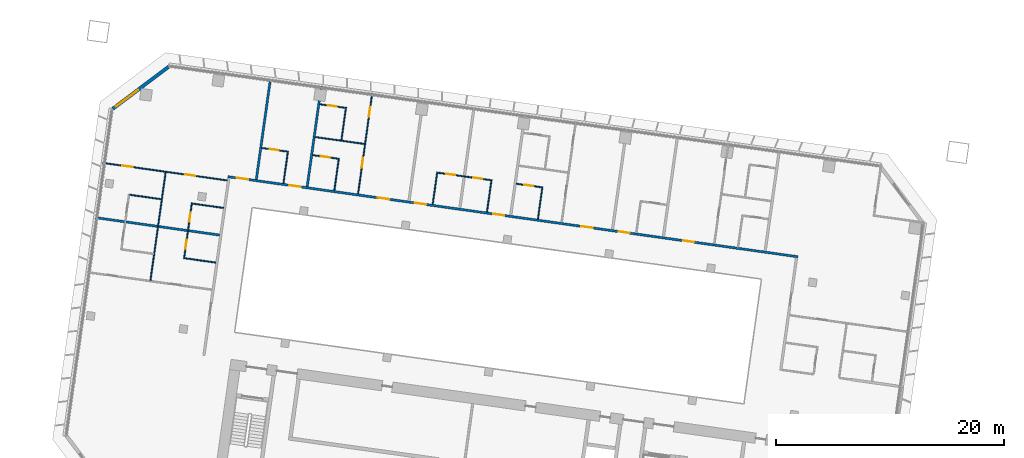
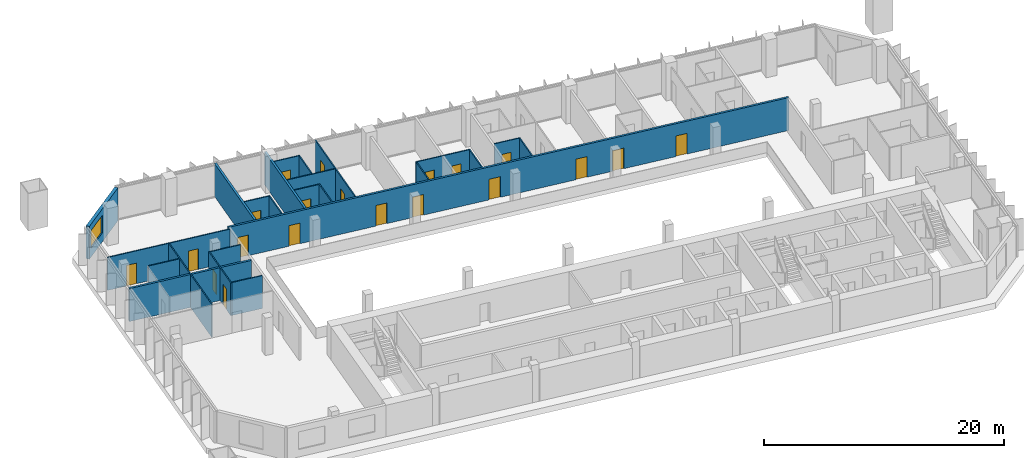
# One storey, part 16 of 25: 24 walls, 20 doors, 1 window, 21 openings.
"""IFC4 building model written with IfcOpenShell, lengths in metres."""

from ifc_helpers import new_model, si_unit, direction, frame, frame_2d, origin, place, context, subcontext, project, spatial, rectangle, extrude, material, layer, layer_set, type_object, element, fill, save


model = new_model("IFC4")

# Units and contexts
model_context = context("Model", 3, precision=1e-05, world=origin(), true_north=direction((0.0, 1.0)))
body_context = subcontext(model_context, "Body", "Model", "MODEL_VIEW")
ifc_project = project(units=[si_unit("LENGTHUNIT", "METRE"), si_unit("AREAUNIT", "SQUARE_METRE"), si_unit("VOLUMEUNIT", "CUBIC_METRE"), si_unit("PLANEANGLEUNIT", "RADIAN"), si_unit("MASSUNIT", "GRAM", prefix="KILO")], contexts=[model_context])

# Site, building, storey
site_placement = place(None, origin())
site = spatial("IfcSite", under=ifc_project, at=site_placement, CompositionType="ELEMENT")
building_placement = place(site_placement, origin())
building = spatial("IfcBuilding", under=site, at=building_placement, Name="Mirante Cascada Hotel Towers", CompositionType="ELEMENT")
storey_placement = place(building_placement, frame((0.0, 0.0, 62.3)))
storey = spatial("IfcBuildingStorey", under=building, at=storey_placement, Name="L12", CompositionType="ELEMENT", Elevation=62.3)

# Wall
ifc_material_1 = material(Name="Fire-rated plasterboard on metal studs")
ifc_layer_1 = layer(ifc_material_1, 0.2)
ifc_layer_set_1 = layer_set([ifc_layer_1], Name="Compartment wall 200 EI 120")
wall_type_1 = type_object("IfcWallType", Name="Compartment wall 200 EI 120", PredefinedType="PARTITIONING", material=ifc_layer_set_1)
wall_1_placement = place(storey_placement, frame((-89.7337, 11.2758, 0.0), z_axis=(0.0, 0.0, 1.0), x_axis=(-0.990268, 0.1391733, 0.0)))
element("IfcWall", 1, at=wall_1_placement, inside=storey, type_object=wall_type_1, Name="Wall 1-L12-13", PredefinedType="PARTITIONING", context=body_context, shape_type="SweptSolid", body=[
    extrude(rectangle(XDim=11.0, YDim=0.2, at=frame_2d((5.5, 0.0))), origin(), (0.0, 0.0, 1.0), 3.35),
])

# Wall, openings, doors
wall_2_placement = place(storey_placement, frame((-39.1051, 9.3779, 0.0), z_axis=(0.0, 0.0, 1.0), x_axis=(-0.9902681, 0.1391727, 0.0)))
wall_2 = element("IfcWall", 2, at=wall_2_placement, inside=storey, type_object=wall_type_1, Name="Wall 1-L12-17", PredefinedType="PARTITIONING", context=body_context, shape_type="SweptSolid", body=[
    extrude(rectangle(XDim=50.4, YDim=0.2, at=frame_2d((25.2, 0.0))), origin(), (0.0, 0.0, 1.0), 3.35),
])
opening_1_placement = place(wall_2_placement, frame((9.15, 0.0, 0.0)))
opening_1 = element("IfcOpeningElement", 3, at=opening_1_placement, cuts=wall_2, Name="Opening D1-L12-08", PredefinedType="OPENING", context=body_context, shape_type="SweptSolid", body=[
    extrude(rectangle(XDim=1.0, YDim=2.1, at=frame_2d((0.5, 1.05))), frame((0.0, 0.1, 0.0), z_axis=(0.0, -1.0, 0.0), x_axis=(1.0, 0.0, 0.0)), (0.0, 0.0, 1.0), 0.2),
])
opening_2_placement = place(wall_2_placement, frame((14.85, 0.0, 0.0)))
opening_2 = element("IfcOpeningElement", 4, at=opening_2_placement, cuts=wall_2, Name="Opening D1-L12-09", PredefinedType="OPENING", context=body_context, shape_type="SweptSolid", body=[
    extrude(rectangle(XDim=1.0, YDim=2.1, at=frame_2d((0.5, 1.05))), frame((0.0, 0.1, 0.0), z_axis=(0.0, -1.0, 0.0), x_axis=(1.0, 0.0, 0.0)), (0.0, 0.0, 1.0), 0.2),
])
opening_3_placement = place(wall_2_placement, frame((18.15, 0.0, 0.0)))
opening_3 = element("IfcOpeningElement", 5, at=opening_3_placement, cuts=wall_2, Name="Opening D1-L12-10", PredefinedType="OPENING", context=body_context, shape_type="SweptSolid", body=[
    extrude(rectangle(XDim=1.0, YDim=2.1, at=frame_2d((0.5, 1.05))), frame((0.0, 0.1, 0.0), z_axis=(0.0, -1.0, 0.0), x_axis=(1.0, 0.0, 0.0)), (0.0, 0.0, 1.0), 0.2),
])
opening_4_placement = place(wall_2_placement, frame((25.95, 0.0, 0.0)))
opening_4 = element("IfcOpeningElement", 6, at=opening_4_placement, cuts=wall_2, Name="Opening D1-L12-11", PredefinedType="OPENING", context=body_context, shape_type="SweptSolid", body=[
    extrude(rectangle(XDim=1.0, YDim=2.1, at=frame_2d((0.5, 1.05))), frame((0.0, 0.1, 0.0), z_axis=(0.0, -1.0, 0.0), x_axis=(1.0, 0.0, 0.0)), (0.0, 0.0, 1.0), 0.2),
])
opening_5_placement = place(wall_2_placement, frame((32.85, 0.0, 0.0)))
opening_5 = element("IfcOpeningElement", 7, at=opening_5_placement, cuts=wall_2, Name="Opening D1-L12-12", PredefinedType="OPENING", context=body_context, shape_type="SweptSolid", body=[
    extrude(rectangle(XDim=1.0, YDim=2.1, at=frame_2d((0.5, 1.05))), frame((0.0, 0.1, 0.0), z_axis=(0.0, -1.0, 0.0), x_axis=(1.0, 0.0, 0.0)), (0.0, 0.0, 1.0), 0.2),
])
opening_6_placement = place(wall_2_placement, frame((36.15, 0.0, 0.0)))
opening_6 = element("IfcOpeningElement", 8, at=opening_6_placement, cuts=wall_2, Name="Opening D1-L12-13", PredefinedType="OPENING", context=body_context, shape_type="SweptSolid", body=[
    extrude(rectangle(XDim=1.0, YDim=2.1, at=frame_2d((0.5, 1.05))), frame((0.0, 0.1, 0.0), z_axis=(0.0, -1.0, 0.0), x_axis=(1.0, 0.0, 0.0)), (0.0, 0.0, 1.0), 0.2),
])
opening_7_placement = place(wall_2_placement, frame((43.95, 0.0, 0.0)))
opening_7 = element("IfcOpeningElement", 9, at=opening_7_placement, cuts=wall_2, Name="Opening D1-L12-14", PredefinedType="OPENING", context=body_context, shape_type="SweptSolid", body=[
    extrude(rectangle(XDim=1.0, YDim=2.1, at=frame_2d((0.5, 1.05))), frame((0.0, 0.1, 0.0), z_axis=(0.0, -1.0, 0.0), x_axis=(1.0, 0.0, 0.0)), (0.0, 0.0, 1.0), 0.2),
])
opening_8_placement = place(wall_2_placement, frame((48.6, 0.0, 0.0)))
opening_8 = element("IfcOpeningElement", 10, at=opening_8_placement, cuts=wall_2, Name="Opening D1-L12-15", PredefinedType="OPENING", context=body_context, shape_type="SweptSolid", body=[
    extrude(rectangle(XDim=1.0, YDim=2.1, at=frame_2d((0.5, 1.05))), frame((0.0, 0.1, 0.0), z_axis=(0.0, -1.0, 0.0), x_axis=(1.0, 0.0, 0.0)), (0.0, 0.0, 1.0), 0.2),
])
ifc_material_2 = material(Name="Fire-rated timber door leaf", Category="wood")
door_type_1 = type_object("IfcDoorType", Name="Entrance door DG1 1000x2100 EI 60", OperationType="SINGLE_SWING_LEFT", PredefinedType="DOOR", material=ifc_material_2)
door_1_placement = place(opening_1_placement, frame((1.0, 0.0, 0.0), z_axis=(0.0, 0.0, 1.0), x_axis=(-1.0, 0.0, 0.0)))
door_1 = element("IfcDoor", 11, at=door_1_placement, inside=storey, type_object=door_type_1, Name="Door D1-L12-08", OperationType="SINGLE_SWING_RIGHT", OverallHeight=2.1, OverallWidth=1.0, PredefinedType="DOOR", context=body_context, shape_type="SweptSolid", body=[
    extrude(rectangle(XDim=1.0, YDim=2.1, at=frame_2d((0.5, 1.05))), frame((0.0, 0.025, 0.0), z_axis=(0.0, -1.0, 0.0), x_axis=(1.0, 0.0, 0.0)), (0.0, 0.0, 1.0), 0.05),
])
fill(opening_1, door_1)
door_2_placement = place(opening_2_placement, frame((1.0, 0.0, 0.0), z_axis=(0.0, 0.0, 1.0), x_axis=(-1.0, 0.0, 0.0)))
door_2 = element("IfcDoor", 12, at=door_2_placement, inside=storey, type_object=door_type_1, Name="Door D1-L12-09", OperationType="SINGLE_SWING_RIGHT", OverallHeight=2.1, OverallWidth=1.0, PredefinedType="DOOR", context=body_context, shape_type="SweptSolid", body=[
    extrude(rectangle(XDim=1.0, YDim=2.1, at=frame_2d((0.5, 1.05))), frame((0.0, 0.025, 0.0), z_axis=(0.0, -1.0, 0.0), x_axis=(1.0, 0.0, 0.0)), (0.0, 0.0, 1.0), 0.05),
])
fill(opening_2, door_2)
door_3_placement = place(opening_3_placement, frame((1.0, 0.0, 0.0), z_axis=(0.0, 0.0, 1.0), x_axis=(-1.0, 0.0, 0.0)))
door_3 = element("IfcDoor", 13, at=door_3_placement, inside=storey, type_object=door_type_1, Name="Door D1-L12-10", OperationType="SINGLE_SWING_RIGHT", OverallHeight=2.1, OverallWidth=1.0, PredefinedType="DOOR", context=body_context, shape_type="SweptSolid", body=[
    extrude(rectangle(XDim=1.0, YDim=2.1, at=frame_2d((0.5, 1.05))), frame((0.0, 0.025, 0.0), z_axis=(0.0, -1.0, 0.0), x_axis=(1.0, 0.0, 0.0)), (0.0, 0.0, 1.0), 0.05),
])
fill(opening_3, door_3)
door_4_placement = place(opening_4_placement, frame((1.0, 0.0, 0.0), z_axis=(0.0, 0.0, 1.0), x_axis=(-1.0, 0.0, 0.0)))
door_4 = element("IfcDoor", 14, at=door_4_placement, inside=storey, type_object=door_type_1, Name="Door D1-L12-11", OperationType="SINGLE_SWING_RIGHT", OverallHeight=2.1, OverallWidth=1.0, PredefinedType="DOOR", context=body_context, shape_type="SweptSolid", body=[
    extrude(rectangle(XDim=1.0, YDim=2.1, at=frame_2d((0.5, 1.05))), frame((0.0, 0.025, 0.0), z_axis=(0.0, -1.0, 0.0), x_axis=(1.0, 0.0, 0.0)), (0.0, 0.0, 1.0), 0.05),
])
fill(opening_4, door_4)
door_5_placement = place(opening_5_placement, frame((1.0, 0.0, 0.0), z_axis=(0.0, 0.0, 1.0), x_axis=(-1.0, 0.0, 0.0)))
door_5 = element("IfcDoor", 15, at=door_5_placement, inside=storey, type_object=door_type_1, Name="Door D1-L12-12", OperationType="SINGLE_SWING_RIGHT", OverallHeight=2.1, OverallWidth=1.0, PredefinedType="DOOR", context=body_context, shape_type="SweptSolid", body=[
    extrude(rectangle(XDim=1.0, YDim=2.1, at=frame_2d((0.5, 1.05))), frame((0.0, 0.025, 0.0), z_axis=(0.0, -1.0, 0.0), x_axis=(1.0, 0.0, 0.0)), (0.0, 0.0, 1.0), 0.05),
])
fill(opening_5, door_5)
door_6_placement = place(opening_6_placement, frame((1.0, 0.0, 0.0), z_axis=(0.0, 0.0, 1.0), x_axis=(-1.0, 0.0, 0.0)))
door_6 = element("IfcDoor", 16, at=door_6_placement, inside=storey, type_object=door_type_1, Name="Door D1-L12-13", OperationType="SINGLE_SWING_RIGHT", OverallHeight=2.1, OverallWidth=1.0, PredefinedType="DOOR", context=body_context, shape_type="SweptSolid", body=[
    extrude(rectangle(XDim=1.0, YDim=2.1, at=frame_2d((0.5, 1.05))), frame((0.0, 0.025, 0.0), z_axis=(0.0, -1.0, 0.0), x_axis=(1.0, 0.0, 0.0)), (0.0, 0.0, 1.0), 0.05),
])
fill(opening_6, door_6)
door_7_placement = place(opening_7_placement, frame((1.0, 0.0, 0.0), z_axis=(0.0, 0.0, 1.0), x_axis=(-1.0, 0.0, 0.0)))
door_7 = element("IfcDoor", 17, at=door_7_placement, inside=storey, type_object=door_type_1, Name="Door D1-L12-14", OperationType="SINGLE_SWING_RIGHT", OverallHeight=2.1, OverallWidth=1.0, PredefinedType="DOOR", context=body_context, shape_type="SweptSolid", body=[
    extrude(rectangle(XDim=1.0, YDim=2.1, at=frame_2d((0.5, 1.05))), frame((0.0, 0.025, 0.0), z_axis=(0.0, -1.0, 0.0), x_axis=(1.0, 0.0, 0.0)), (0.0, 0.0, 1.0), 0.05),
])
fill(opening_7, door_7)
door_8_placement = place(opening_8_placement, frame((1.0, 0.0, 0.0), z_axis=(0.0, 0.0, 1.0), x_axis=(-1.0, 0.0, 0.0)))
door_8 = element("IfcDoor", 18, at=door_8_placement, inside=storey, type_object=door_type_1, Name="Door D1-L12-15", OperationType="SINGLE_SWING_RIGHT", OverallHeight=2.1, OverallWidth=1.0, PredefinedType="DOOR", context=body_context, shape_type="SweptSolid", body=[
    extrude(rectangle(XDim=1.0, YDim=2.1, at=frame_2d((0.5, 1.05))), frame((0.0, 0.025, 0.0), z_axis=(0.0, -1.0, 0.0), x_axis=(1.0, 0.0, 0.0)), (0.0, 0.0, 1.0), 0.05),
])
fill(opening_8, door_8)

# Walls
wall_3_placement = place(storey_placement, frame((-80.8302, 24.3304, 0.0), z_axis=(0.0, 0.0, 1.0), x_axis=(-0.13917, -0.9902685, 0.0)))
element("IfcWall", 19, at=wall_3_placement, inside=storey, type_object=wall_type_1, Name="Wall 1-L12-56", PredefinedType="PARTITIONING", context=body_context, shape_type="SweptSolid", body=[
    extrude(rectangle(XDim=8.8999, YDim=0.2, at=frame_2d((4.45, 0.0))), origin(), (0.0, 0.0, 1.0), 3.35),
])
wall_4_placement = place(storey_placement, frame((-85.2864, 24.9567, 0.0), z_axis=(0.0, 0.0, 1.0), x_axis=(-0.1391684, -0.9902687, 0.0)))
element("IfcWall", 20, at=wall_4_placement, inside=storey, type_object=wall_type_1, Name="Wall 1-L12-58", PredefinedType="PARTITIONING", context=body_context, shape_type="SweptSolid", body=[
    extrude(rectangle(XDim=8.9, YDim=0.2, at=frame_2d((4.45, 0.0))), origin(), (0.0, 0.0, 1.0), 3.35),
])
ifc_material_3 = material(Name="Plasterboard on metal studs")
ifc_layer_2 = layer(ifc_material_3, 0.1)
ifc_layer_set_2 = layer_set([ifc_layer_2], Name="Partition 100")
wall_type_2 = type_object("IfcWallType", Name="Partition 100", PredefinedType="PARTITIONING", material=ifc_layer_set_2)
wall_5_placement = place(storey_placement, frame((-92.7956, 9.2489, 0.0), z_axis=(0.0, 0.0, 1.0), x_axis=(0.9902698, -0.1391607, 0.0)))
element("IfcWall", 21, at=wall_5_placement, inside=storey, type_object=wall_type_2, Name="Wall 1-L12-10", PredefinedType="PARTITIONING", context=body_context, shape_type="SweptSolid", body=[
    extrude(rectangle(XDim=2.7501, YDim=0.1, at=frame_2d((1.3751, 0.0))), origin(), (0.0, 0.0, 1.0), 3.35),
])
wall_6_placement = place(storey_placement, frame((-92.1229, 14.0352, 0.0), z_axis=(0.0, 0.0, 1.0), x_axis=(0.9902691, -0.1391657, 0.0)))
element("IfcWall", 22, at=wall_6_placement, inside=storey, type_object=wall_type_2, Name="Wall 1-L12-14", PredefinedType="PARTITIONING", context=body_context, shape_type="SweptSolid", body=[
    extrude(rectangle(XDim=2.75, YDim=0.1, at=frame_2d((1.375, 0.0))), origin(), (0.0, 0.0, 1.0), 3.35),
])
wall_7_placement = place(storey_placement, frame((-94.8461, 14.4179, 0.0), z_axis=(0.0, 0.0, 1.0), x_axis=(-0.9902677, 0.139176, 0.0)))
element("IfcWall", 23, at=wall_7_placement, inside=storey, type_object=wall_type_2, Name="Wall 1-L12-15", PredefinedType="PARTITIONING", context=body_context, shape_type="SweptSolid", body=[
    extrude(rectangle(XDim=2.8001, YDim=0.1, at=frame_2d((1.4, 0.0))), origin(), (0.0, 0.0, 1.0), 3.35),
])

# Wall, openings, doors
wall_8_placement = place(storey_placement, frame((-99.954, 17.5931, 0.0), z_axis=(0.0, 0.0, 1.0), x_axis=(0.9902682, -0.1391721, 0.0)))
wall_8 = element("IfcWall", 24, at=wall_8_placement, inside=storey, type_object=wall_type_2, Name="Wall 1-L12-16", PredefinedType="PARTITIONING", context=body_context, shape_type="SweptSolid", body=[
    extrude(rectangle(XDim=11.0001, YDim=0.1, at=frame_2d((5.5, 0.0))), origin(), (0.0, 0.0, 1.0), 3.35),
])
opening_9_placement = place(wall_8_placement, frame((7.275, 0.0, 0.0)))
opening_9 = element("IfcOpeningElement", 25, at=opening_9_placement, cuts=wall_8, Name="Opening D1-L12-06", PredefinedType="OPENING", context=body_context, shape_type="SweptSolid", body=[
    extrude(rectangle(XDim=0.9, YDim=2.1, at=frame_2d((0.45, 1.05))), frame((0.0, 0.05, 0.0), z_axis=(0.0, -1.0, 0.0), x_axis=(1.0, 0.0, 0.0)), (0.0, 0.0, 1.0), 0.1),
])
opening_10_placement = place(wall_8_placement, frame((1.725, 0.0, 0.0)))
opening_10 = element("IfcOpeningElement", 26, at=opening_10_placement, cuts=wall_8, Name="Opening D1-L12-07", PredefinedType="OPENING", context=body_context, shape_type="SweptSolid", body=[
    extrude(rectangle(XDim=0.9, YDim=2.1, at=frame_2d((0.45, 1.05))), frame((0.0, 0.05, 0.0), z_axis=(0.0, -1.0, 0.0), x_axis=(1.0, 0.0, 0.0)), (0.0, 0.0, 1.0), 0.1),
])
ifc_material_4 = material(Name="Timber door leaf", Category="wood")
door_type_2 = type_object("IfcDoorType", Name="Room door DG3 900x2100", OperationType="SINGLE_SWING_LEFT", PredefinedType="DOOR", material=ifc_material_4)
door_9_placement = place(opening_9_placement, origin())
door_9 = element("IfcDoor", 27, at=door_9_placement, inside=storey, type_object=door_type_2, Name="Door D1-L12-06", OperationType="SINGLE_SWING_LEFT", OverallHeight=2.1, OverallWidth=0.9, PredefinedType="DOOR", context=body_context, shape_type="SweptSolid", body=[
    extrude(rectangle(XDim=0.9, YDim=2.1, at=frame_2d((0.45, 1.05))), frame((0.0, 0.025, 0.0), z_axis=(0.0, -1.0, 0.0), x_axis=(1.0, 0.0, 0.0)), (0.0, 0.0, 1.0), 0.05),
])
fill(opening_9, door_9)
door_10_placement = place(opening_10_placement, origin())
door_10 = element("IfcDoor", 28, at=door_10_placement, inside=storey, type_object=door_type_2, Name="Door D1-L12-07", OperationType="SINGLE_SWING_LEFT", OverallHeight=2.1, OverallWidth=0.9, PredefinedType="DOOR", context=body_context, shape_type="SweptSolid", body=[
    extrude(rectangle(XDim=0.9, YDim=2.1, at=frame_2d((0.45, 1.05))), frame((0.0, 0.025, 0.0), z_axis=(0.0, -1.0, 0.0), x_axis=(1.0, 0.0, 0.0)), (0.0, 0.0, 1.0), 0.05),
])
fill(opening_10, door_10)

# Wall, opening, door
wall_9_placement = place(storey_placement, frame((-63.7553, 15.7708, 0.0), z_axis=(0.0, 0.0, 1.0), x_axis=(0.9902643, -0.1391997, 0.0)))
wall_9 = element("IfcWall", 29, at=wall_9_placement, inside=storey, type_object=wall_type_2, Name="Wall 1-L12-20", PredefinedType="PARTITIONING", context=body_context, shape_type="SweptSolid", body=[
    extrude(rectangle(XDim=2.25, YDim=0.1, at=frame_2d((1.125, 0.0))), origin(), (0.0, 0.0, 1.0), 3.35),
])
opening_11_placement = place(wall_9_placement, frame((0.7, 0.0, 0.0)))
opening_11 = element("IfcOpeningElement", 30, at=opening_11_placement, cuts=wall_9, Name="Opening D1-L12-18", PredefinedType="OPENING", context=body_context, shape_type="SweptSolid", body=[
    extrude(rectangle(XDim=0.8, YDim=2.1, at=frame_2d((0.4, 1.05))), frame((0.0, 0.05, 0.0), z_axis=(0.0, -1.0, 0.0), x_axis=(1.0, 0.0, 0.0)), (0.0, 0.0, 1.0), 0.1),
])
ifc_material_5 = material(Name="Timber door leaf", Category="wood")
door_type_3 = type_object("IfcDoorType", Name="Bathroom door DG4 800x2100", OperationType="SINGLE_SWING_LEFT", PredefinedType="DOOR", material=ifc_material_5)
door_11_placement = place(opening_11_placement, frame((0.8, 0.0, 0.0), z_axis=(0.0, 0.0, 1.0), x_axis=(-1.0, 0.0, 0.0)))
door_11 = element("IfcDoor", 31, at=door_11_placement, inside=storey, type_object=door_type_3, Name="Door D1-L12-18", OperationType="SINGLE_SWING_RIGHT", OverallHeight=2.1, OverallWidth=0.8, PredefinedType="DOOR", context=body_context, shape_type="SweptSolid", body=[
    extrude(rectangle(XDim=0.8, YDim=2.1, at=frame_2d((0.4, 1.05))), frame((0.0, 0.025, 0.0), z_axis=(0.0, -1.0, 0.0), x_axis=(1.0, 0.0, 0.0)), (0.0, 0.0, 1.0), 0.05),
])
fill(opening_11, door_11)

# Wall, openings, doors
wall_10_placement = place(storey_placement, frame((-65.8844, 16.07, 0.0), z_axis=(0.0, 0.0, 1.0), x_axis=(-0.9902694, 0.1391638, 0.0)))
wall_10 = element("IfcWall", 32, at=wall_10_placement, inside=storey, type_object=wall_type_2, Name="Wall 1-L12-21", PredefinedType="PARTITIONING", context=body_context, shape_type="SweptSolid", body=[
    extrude(rectangle(XDim=4.9, YDim=0.1, at=frame_2d((2.45, 0.0))), origin(), (0.0, 0.0, 1.0), 3.35),
])
opening_12_placement = place(wall_10_placement, frame((0.85, 0.0, 0.0)))
opening_12 = element("IfcOpeningElement", 33, at=opening_12_placement, cuts=wall_10, Name="Opening D1-L12-19", PredefinedType="OPENING", context=body_context, shape_type="SweptSolid", body=[
    extrude(rectangle(XDim=0.8, YDim=2.1, at=frame_2d((0.4, 1.05))), frame((0.0, 0.05, 0.0), z_axis=(0.0, -1.0, 0.0), x_axis=(1.0, 0.0, 0.0)), (0.0, 0.0, 1.0), 0.1),
])
opening_13_placement = place(wall_10_placement, frame((3.25, 0.0, 0.0)))
opening_13 = element("IfcOpeningElement", 34, at=opening_13_placement, cuts=wall_10, Name="Opening D1-L12-20", PredefinedType="OPENING", context=body_context, shape_type="SweptSolid", body=[
    extrude(rectangle(XDim=0.8, YDim=2.1, at=frame_2d((0.4, 1.05))), frame((0.0, 0.05, 0.0), z_axis=(0.0, -1.0, 0.0), x_axis=(1.0, 0.0, 0.0)), (0.0, 0.0, 1.0), 0.1),
])
door_12_placement = place(opening_12_placement, frame((0.8, 0.0, 0.0), z_axis=(0.0, 0.0, 1.0), x_axis=(-1.0, 0.0, 0.0)))
door_12 = element("IfcDoor", 35, at=door_12_placement, inside=storey, type_object=door_type_3, Name="Door D1-L12-19", OperationType="SINGLE_SWING_RIGHT", OverallHeight=2.1, OverallWidth=0.8, PredefinedType="DOOR", context=body_context, shape_type="SweptSolid", body=[
    extrude(rectangle(XDim=0.8, YDim=2.1, at=frame_2d((0.4, 1.05))), frame((0.0, 0.025, 0.0), z_axis=(0.0, -1.0, 0.0), x_axis=(1.0, 0.0, 0.0)), (0.0, 0.0, 1.0), 0.05),
])
fill(opening_12, door_12)
door_13_placement = place(opening_13_placement, frame((0.8, 0.0, 0.0), z_axis=(0.0, 0.0, 1.0), x_axis=(-1.0, 0.0, 0.0)))
door_13 = element("IfcDoor", 36, at=door_13_placement, inside=storey, type_object=door_type_3, Name="Door D1-L12-20", OperationType="SINGLE_SWING_RIGHT", OverallHeight=2.1, OverallWidth=0.8, PredefinedType="DOOR", context=body_context, shape_type="SweptSolid", body=[
    extrude(rectangle(XDim=0.8, YDim=2.1, at=frame_2d((0.4, 1.05))), frame((0.0, 0.025, 0.0), z_axis=(0.0, -1.0, 0.0), x_axis=(1.0, 0.0, 0.0)), (0.0, 0.0, 1.0), 0.05),
])
fill(opening_13, door_13)

# Wall, opening, door
wall_11_placement = place(storey_placement, frame((-81.5801, 18.2759, 0.0), z_axis=(0.0, 0.0, 1.0), x_axis=(0.9902643, -0.1391997, 0.0)))
wall_11 = element("IfcWall", 37, at=wall_11_placement, inside=storey, type_object=wall_type_2, Name="Wall 1-L12-22", PredefinedType="PARTITIONING", context=body_context, shape_type="SweptSolid", body=[
    extrude(rectangle(XDim=2.25, YDim=0.1, at=frame_2d((1.125, 0.0))), origin(), (0.0, 0.0, 1.0), 3.35),
])
opening_14_placement = place(wall_11_placement, frame((0.7, 0.0, 0.0)))
opening_14 = element("IfcOpeningElement", 38, at=opening_14_placement, cuts=wall_11, Name="Opening D1-L12-21", PredefinedType="OPENING", context=body_context, shape_type="SweptSolid", body=[
    extrude(rectangle(XDim=0.8, YDim=2.1, at=frame_2d((0.4, 1.05))), frame((0.0, 0.05, 0.0), z_axis=(0.0, -1.0, 0.0), x_axis=(1.0, 0.0, 0.0)), (0.0, 0.0, 1.0), 0.1),
])
door_14_placement = place(opening_14_placement, frame((0.8, 0.0, 0.0), z_axis=(0.0, 0.0, 1.0), x_axis=(-1.0, 0.0, 0.0)))
door_14 = element("IfcDoor", 39, at=door_14_placement, inside=storey, type_object=door_type_3, Name="Door D1-L12-21", OperationType="SINGLE_SWING_RIGHT", OverallHeight=2.1, OverallWidth=0.8, PredefinedType="DOOR", context=body_context, shape_type="SweptSolid", body=[
    extrude(rectangle(XDim=0.8, YDim=2.1, at=frame_2d((0.4, 1.05))), frame((0.0, 0.025, 0.0), z_axis=(0.0, -1.0, 0.0), x_axis=(1.0, 0.0, 0.0)), (0.0, 0.0, 1.0), 0.05),
])
fill(opening_14, door_14)

wall_12_placement = place(storey_placement, frame((-83.8082, 18.589, 0.0), z_axis=(0.0, 0.0, 1.0), x_axis=(-0.9902643, 0.1391997, 0.0)))
wall_12 = element("IfcWall", 40, at=wall_12_placement, inside=storey, type_object=wall_type_2, Name="Wall 1-L12-23", PredefinedType="PARTITIONING", context=body_context, shape_type="SweptSolid", body=[
    extrude(rectangle(XDim=2.25, YDim=0.1, at=frame_2d((1.125, 0.0))), origin(), (0.0, 0.0, 1.0), 3.35),
])
opening_15_placement = place(wall_12_placement, frame((0.75, 0.0, 0.0)))
opening_15 = element("IfcOpeningElement", 41, at=opening_15_placement, cuts=wall_12, Name="Opening D1-L12-22", PredefinedType="OPENING", context=body_context, shape_type="SweptSolid", body=[
    extrude(rectangle(XDim=0.8, YDim=2.1, at=frame_2d((0.4, 1.05))), frame((0.0, 0.05, 0.0), z_axis=(0.0, -1.0, 0.0), x_axis=(1.0, 0.0, 0.0)), (0.0, 0.0, 1.0), 0.1),
])
door_15_placement = place(opening_15_placement, frame((0.8, 0.0, 0.0), z_axis=(0.0, 0.0, 1.0), x_axis=(-1.0, 0.0, 0.0)))
door_15 = element("IfcDoor", 42, at=door_15_placement, inside=storey, type_object=door_type_3, Name="Door D1-L12-22", OperationType="SINGLE_SWING_RIGHT", OverallHeight=2.1, OverallWidth=0.8, PredefinedType="DOOR", context=body_context, shape_type="SweptSolid", body=[
    extrude(rectangle(XDim=0.8, YDim=2.1, at=frame_2d((0.4, 1.05))), frame((0.0, 0.025, 0.0), z_axis=(0.0, -1.0, 0.0), x_axis=(1.0, 0.0, 0.0)), (0.0, 0.0, 1.0), 0.05),
])
fill(opening_15, door_15)

# Wall
wall_13_placement = place(storey_placement, frame((-77.0498, 19.2549, 0.0), z_axis=(0.0, 0.0, 1.0), x_axis=(-0.9902679, 0.1391745, 0.0)))
element("IfcWall", 43, at=wall_13_placement, inside=storey, type_object=wall_type_2, Name="Wall 1-L12-27", PredefinedType="PARTITIONING", context=body_context, shape_type="SweptSolid", body=[
    extrude(rectangle(XDim=4.3499, YDim=0.1, at=frame_2d((2.175, 0.0))), origin(), (0.0, 0.0, 1.0), 3.35),
])

# Wall, opening, door
wall_14_placement = place(storey_placement, frame((-80.9538, 22.7321, 0.0), z_axis=(0.0, 0.0, 1.0), x_axis=(0.9902705, -0.1391561, 0.0)))
wall_14 = element("IfcWall", 44, at=wall_14_placement, inside=storey, type_object=wall_type_2, Name="Wall 1-L12-30", PredefinedType="PARTITIONING", context=body_context, shape_type="SweptSolid", body=[
    extrude(rectangle(XDim=2.25, YDim=0.1, at=frame_2d((1.125, 0.0))), origin(), (0.0, 0.0, 1.0), 3.35),
])
opening_16_placement = place(wall_14_placement, frame((0.7, 0.0, 0.0)))
opening_16 = element("IfcOpeningElement", 45, at=opening_16_placement, cuts=wall_14, Name="Opening D1-L12-25", PredefinedType="OPENING", context=body_context, shape_type="SweptSolid", body=[
    extrude(rectangle(XDim=0.8, YDim=2.1, at=frame_2d((0.4, 1.05))), frame((0.0, 0.05, 0.0), z_axis=(0.0, -1.0, 0.0), x_axis=(1.0, 0.0, 0.0)), (0.0, 0.0, 1.0), 0.1),
])
door_16_placement = place(opening_16_placement, frame((0.8, 0.0, 0.0), z_axis=(0.0, 0.0, 1.0), x_axis=(-1.0, 0.0, 0.0)))
door_16 = element("IfcDoor", 46, at=door_16_placement, inside=storey, type_object=door_type_3, Name="Door D1-L12-25", OperationType="SINGLE_SWING_RIGHT", OverallHeight=2.1, OverallWidth=0.8, PredefinedType="DOOR", context=body_context, shape_type="SweptSolid", body=[
    extrude(rectangle(XDim=0.8, YDim=2.1, at=frame_2d((0.4, 1.05))), frame((0.0, 0.025, 0.0), z_axis=(0.0, -1.0, 0.0), x_axis=(1.0, 0.0, 0.0)), (0.0, 0.0, 1.0), 0.05),
])
fill(opening_16, door_16)

# Walls
wall_15_placement = place(storey_placement, frame((-61.4707, 15.5002, 0.0), z_axis=(0.0, 0.0, 1.0), x_axis=(-0.1391909, -0.9902656, 0.0)))
element("IfcWall", 47, at=wall_15_placement, inside=storey, type_object=wall_type_2, Name="Wall 1-L12-46", PredefinedType="PARTITIONING", context=body_context, shape_type="SweptSolid", body=[
    extrude(rectangle(XDim=2.85, YDim=0.1, at=frame_2d((1.425, 0.0))), origin(), (0.0, 0.0, 1.0), 3.35),
])
wall_16_placement = place(storey_placement, frame((-66.3236, 13.3042, 0.0), z_axis=(0.0, 0.0, 1.0), x_axis=(0.1392013, 0.9902641, 0.0)))
element("IfcWall", 48, at=wall_16_placement, inside=storey, type_object=wall_type_2, Name="Wall 1-L12-49", PredefinedType="PARTITIONING", context=body_context, shape_type="SweptSolid", body=[
    extrude(rectangle(XDim=2.75, YDim=0.1, at=frame_2d((1.375, 0.0))), origin(), (0.0, 0.0, 1.0), 3.35),
])
wall_17_placement = place(storey_placement, frame((-71.0769, 13.9722, 0.0), z_axis=(0.0, 0.0, 1.0), x_axis=(0.1391963, 0.9902648, 0.0)))
element("IfcWall", 49, at=wall_17_placement, inside=storey, type_object=wall_type_2, Name="Wall 1-L12-51", PredefinedType="PARTITIONING", context=body_context, shape_type="SweptSolid", body=[
    extrude(rectangle(XDim=2.7501, YDim=0.1, at=frame_2d((1.3751, 0.0))), origin(), (0.0, 0.0, 1.0), 3.35),
])

# Wall, openings, doors
wall_18_placement = place(storey_placement, frame((-77.6126, 14.8908, 0.0), z_axis=(0.0, 0.0, 1.0), x_axis=(0.1391684, 0.9902687, 0.0)))
wall_18 = element("IfcWall", 50, at=wall_18_placement, inside=storey, type_object=wall_type_2, Name="Wall 1-L12-53", PredefinedType="PARTITIONING", context=body_context, shape_type="SweptSolid", body=[
    extrude(rectangle(XDim=8.9, YDim=0.1, at=frame_2d((4.45, 0.0))), origin(), (0.0, 0.0, 1.0), 3.35),
])
opening_17_placement = place(wall_18_placement, frame((2.3, 0.0, 0.0)))
opening_17 = element("IfcOpeningElement", 51, at=opening_17_placement, cuts=wall_18, Name="Opening D1-L12-36", PredefinedType="OPENING", context=body_context, shape_type="SweptSolid", body=[
    extrude(rectangle(XDim=0.9, YDim=2.1, at=frame_2d((0.45, 1.05))), frame((0.0, 0.05, 0.0), z_axis=(0.0, -1.0, 0.0), x_axis=(1.0, 0.0, 0.0)), (0.0, 0.0, 1.0), 0.1),
])
opening_18_placement = place(wall_18_placement, frame((6.8, 0.0, 0.0)))
opening_18 = element("IfcOpeningElement", 52, at=opening_18_placement, cuts=wall_18, Name="Opening D1-L12-37", PredefinedType="OPENING", context=body_context, shape_type="SweptSolid", body=[
    extrude(rectangle(XDim=0.9, YDim=2.1, at=frame_2d((0.45, 1.05))), frame((0.0, 0.05, 0.0), z_axis=(0.0, -1.0, 0.0), x_axis=(1.0, 0.0, 0.0)), (0.0, 0.0, 1.0), 0.1),
])
door_17_placement = place(opening_17_placement, frame((0.9, 0.0, 0.0), z_axis=(0.0, 0.0, 1.0), x_axis=(-1.0, 0.0, 0.0)))
door_17 = element("IfcDoor", 53, at=door_17_placement, inside=storey, type_object=door_type_2, Name="Door D1-L12-36", OperationType="SINGLE_SWING_RIGHT", OverallHeight=2.1, OverallWidth=0.9, PredefinedType="DOOR", context=body_context, shape_type="SweptSolid", body=[
    extrude(rectangle(XDim=0.9, YDim=2.1, at=frame_2d((0.45, 1.05))), frame((0.0, 0.025, 0.0), z_axis=(0.0, -1.0, 0.0), x_axis=(1.0, 0.0, 0.0)), (0.0, 0.0, 1.0), 0.05),
])
fill(opening_17, door_17)
door_18_placement = place(opening_18_placement, frame((0.9, 0.0, 0.0), z_axis=(0.0, 0.0, 1.0), x_axis=(-1.0, 0.0, 0.0)))
door_18 = element("IfcDoor", 54, at=door_18_placement, inside=storey, type_object=door_type_2, Name="Door D1-L12-37", OperationType="SINGLE_SWING_RIGHT", OverallHeight=2.1, OverallWidth=0.9, PredefinedType="DOOR", context=body_context, shape_type="SweptSolid", body=[
    extrude(rectangle(XDim=0.9, YDim=2.1, at=frame_2d((0.45, 1.05))), frame((0.0, 0.025, 0.0), z_axis=(0.0, -1.0, 0.0), x_axis=(1.0, 0.0, 0.0)), (0.0, 0.0, 1.0), 0.05),
])
fill(opening_18, door_18)

# Walls
wall_19_placement = place(storey_placement, frame((-79.2955, 18.0053, 0.0), z_axis=(0.0, 0.0, 1.0), x_axis=(-0.1391909, -0.9902656, 0.0)))
element("IfcWall", 55, at=wall_19_placement, inside=storey, type_object=wall_type_2, Name="Wall 1-L12-54", PredefinedType="PARTITIONING", context=body_context, shape_type="SweptSolid", body=[
    extrude(rectangle(XDim=2.85, YDim=0.1, at=frame_2d((1.425, 0.0))), origin(), (0.0, 0.0, 1.0), 3.35),
])
wall_20_placement = place(storey_placement, frame((-79.0729, 19.5897, 0.0), z_axis=(0.0, 0.0, 1.0), x_axis=(0.1391714, 0.9902683, 0.0)))
element("IfcWall", 56, at=wall_20_placement, inside=storey, type_object=wall_type_2, Name="Wall 1-L12-55", PredefinedType="PARTITIONING", context=body_context, shape_type="SweptSolid", body=[
    extrude(rectangle(XDim=2.9, YDim=0.1, at=frame_2d((1.45, 0.0))), origin(), (0.0, 0.0, 1.0), 3.35),
])
wall_21_placement = place(storey_placement, frame((-84.1484, 15.8093, 0.0), z_axis=(0.0, 0.0, 1.0), x_axis=(0.1391909, 0.9902656, 0.0)))
element("IfcWall", 57, at=wall_21_placement, inside=storey, type_object=wall_type_2, Name="Wall 1-L12-57", PredefinedType="PARTITIONING", context=body_context, shape_type="SweptSolid", body=[
    extrude(rectangle(XDim=2.85, YDim=0.1, at=frame_2d((1.425, 0.0))), origin(), (0.0, 0.0, 1.0), 3.35),
])

# Wall, openings, doors
wall_22_placement = place(storey_placement, frame((-92.1655, 14.0917, 0.0), z_axis=(0.0, 0.0, 1.0), x_axis=(-0.1391564, -0.9902704, 0.0)))
wall_22 = element("IfcWall", 58, at=wall_22_placement, inside=storey, type_object=wall_type_2, Name="Wall 1-L12-60", PredefinedType="PARTITIONING", context=body_context, shape_type="SweptSolid", body=[
    extrude(rectangle(XDim=4.9333, YDim=0.1, at=frame_2d((2.4666, 0.0))), origin(), (0.0, 0.0, 1.0), 3.35),
])
opening_19_placement = place(wall_22_placement, frame((3.25, 0.0, 0.0)))
opening_19 = element("IfcOpeningElement", 59, at=opening_19_placement, cuts=wall_22, Name="Opening D1-L12-39", PredefinedType="OPENING", context=body_context, shape_type="SweptSolid", body=[
    extrude(rectangle(XDim=0.8, YDim=2.1, at=frame_2d((0.4, 1.05))), frame((0.0, 0.05, 0.0), z_axis=(0.0, -1.0, 0.0), x_axis=(1.0, 0.0, 0.0)), (0.0, 0.0, 1.0), 0.1),
])
opening_20_placement = place(wall_22_placement, frame((0.85, 0.0, 0.0)))
opening_20 = element("IfcOpeningElement", 60, at=opening_20_placement, cuts=wall_22, Name="Opening D1-L12-40", PredefinedType="OPENING", context=body_context, shape_type="SweptSolid", body=[
    extrude(rectangle(XDim=0.8, YDim=2.1, at=frame_2d((0.4, 1.05))), frame((0.0, 0.05, 0.0), z_axis=(0.0, -1.0, 0.0), x_axis=(1.0, 0.0, 0.0)), (0.0, 0.0, 1.0), 0.1),
])
door_19_placement = place(opening_19_placement, frame((0.8, 0.0, 0.0), z_axis=(0.0, 0.0, 1.0), x_axis=(-1.0, 0.0, 0.0)))
door_19 = element("IfcDoor", 61, at=door_19_placement, inside=storey, type_object=door_type_3, Name="Door D1-L12-39", OperationType="SINGLE_SWING_RIGHT", OverallHeight=2.1, OverallWidth=0.8, PredefinedType="DOOR", context=body_context, shape_type="SweptSolid", body=[
    extrude(rectangle(XDim=0.8, YDim=2.1, at=frame_2d((0.4, 1.05))), frame((0.0, 0.025, 0.0), z_axis=(0.0, -1.0, 0.0), x_axis=(1.0, 0.0, 0.0)), (0.0, 0.0, 1.0), 0.05),
])
fill(opening_19, door_19)
door_20_placement = place(opening_20_placement, origin())
door_20 = element("IfcDoor", 62, at=door_20_placement, inside=storey, type_object=door_type_3, Name="Door D1-L12-40", OperationType="SINGLE_SWING_LEFT", OverallHeight=2.1, OverallWidth=0.8, PredefinedType="DOOR", context=body_context, shape_type="SweptSolid", body=[
    extrude(rectangle(XDim=0.8, YDim=2.1, at=frame_2d((0.4, 1.05))), frame((0.0, 0.025, 0.0), z_axis=(0.0, -1.0, 0.0), x_axis=(1.0, 0.0, 0.0)), (0.0, 0.0, 1.0), 0.05),
])
fill(opening_20, door_20)

# Wall
wall_23_placement = place(storey_placement, frame((-95.7964, 7.2976, 0.0), z_axis=(0.0, 0.0, 1.0), x_axis=(0.1391805, 0.990267, 0.0)))
element("IfcWall", 63, at=wall_23_placement, inside=storey, type_object=wall_type_2, Name="Wall 1-L12-61", PredefinedType="PARTITIONING", context=body_context, shape_type="SweptSolid", body=[
    extrude(rectangle(XDim=9.5667, YDim=0.1, at=frame_2d((4.7834, 0.0))), origin(), (0.0, 0.0, 1.0), 3.35),
])

# Wall, opening, window
ifc_material_6 = material(Name="Precast concrete C40/50", Category="concrete")
ifc_layer_3 = layer(ifc_material_6, 0.3)
ifc_layer_set_3 = layer_set([ifc_layer_3], Name="Precast concrete C40/50 cladding wall 300")
wall_type_3 = type_object("IfcWallType", Name="Precast concrete C40/50 cladding wall 300", PredefinedType="STANDARD", material=ifc_layer_set_3)
wall_24_placement = place(storey_placement, frame((-99.0919, 22.3343, 0.0), z_axis=(0.0, 0.0, 1.0), x_axis=(0.7986362, 0.6018141, 0.0)))
wall_24 = element("IfcWall", 64, at=wall_24_placement, inside=storey, type_object=wall_type_3, Name="Corner cladding wall T1 L12 outer front", PredefinedType="STANDARD", context=body_context, shape_type="SweptSolid", body=[
    extrude(rectangle(XDim=6.1157, YDim=0.3, at=frame_2d((3.0578, 0.0))), origin(), (0.0, 0.0, 1.0), 3.35),
])
opening_21_placement = place(wall_24_placement, frame((0.35, 0.0, 0.9)))
opening_21 = element("IfcOpeningElement", 65, at=opening_21_placement, cuts=wall_24, Name="Opening W1-12-06", PredefinedType="OPENING", context=body_context, shape_type="SweptSolid", body=[
    extrude(rectangle(XDim=2.4, YDim=1.8, at=frame_2d((1.2, 0.9))), frame((0.0, 0.15, 0.0), z_axis=(0.0, -1.0, 0.0), x_axis=(1.0, 0.0, 0.0)), (0.0, 0.0, 1.0), 0.3),
])
ifc_material_7 = material(Name="Aluminium frame with clear double glazing", Category="aluminium")
window_type = type_object("IfcWindowType", Name="Punched window 2400x1800", PartitioningType="DOUBLE_PANEL_VERTICAL", PredefinedType="WINDOW", material=ifc_material_7)
window_placement = place(opening_21_placement, origin())
window = element("IfcWindow", 66, at=window_placement, inside=storey, type_object=window_type, Name="Window W1-12-06", OverallHeight=1.8, OverallWidth=2.4, PartitioningType="SINGLE_PANEL", PredefinedType="WINDOW", context=body_context, shape_type="SweptSolid", body=[
    extrude(rectangle(XDim=2.4, YDim=1.8, at=frame_2d((1.2, 0.9))), frame((0.0, 0.03, 0.0), z_axis=(0.0, -1.0, 0.0), x_axis=(1.0, 0.0, 0.0)), (0.0, 0.0, 1.0), 0.06),
])
fill(opening_21, window)

save(model, "model.ifc")
